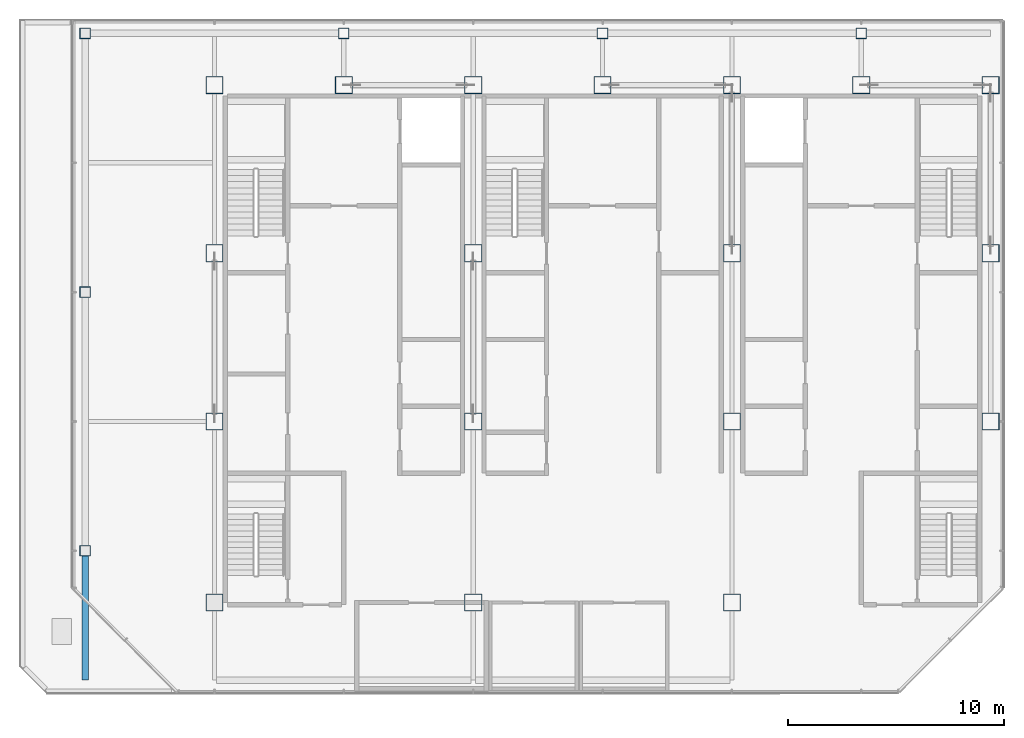
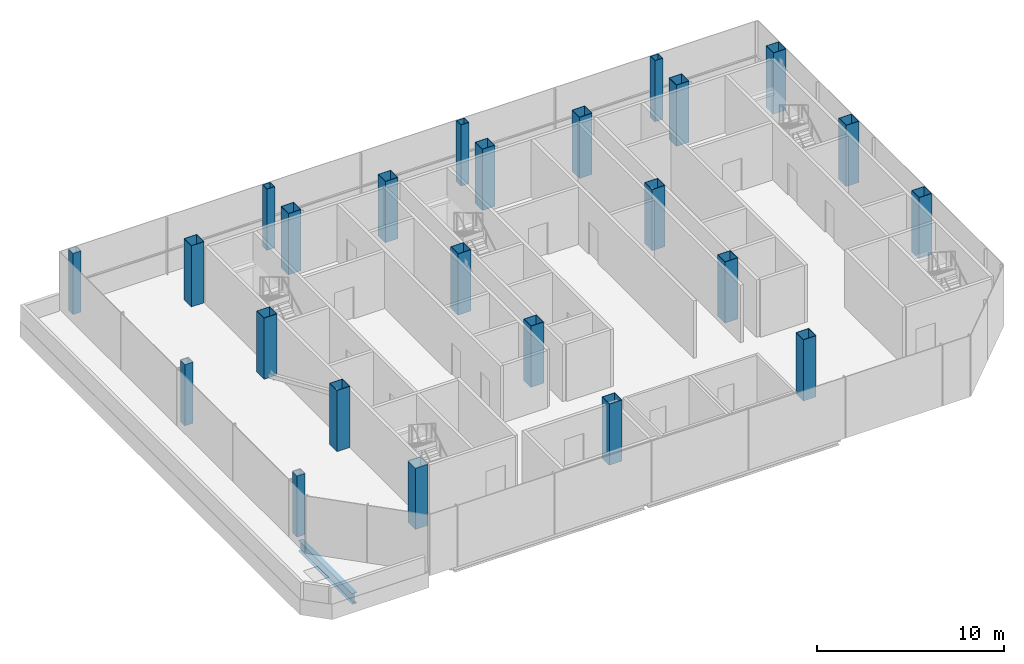
# One storey, part 1 of 11: 24 columns, 1 beam.
"""IFC4 building model written with IfcOpenShell, lengths in metres."""

from ifc_helpers import new_model, si_unit, direction, frame, origin, origin_2d, place, context, subcontext, project, spatial, hollow_rectangle, i_section, extrude, material, material_profile, profile_set, type_object, element, save


model = new_model("IFC4")

# Units and contexts
model_context = context("Model", 3, precision=1e-05, world=origin(), true_north=direction((0.0, 1.0)))
body_context = subcontext(model_context, "Body", "Model", "MODEL_VIEW")
ifc_project = project(units=[si_unit("LENGTHUNIT", "METRE"), si_unit("AREAUNIT", "SQUARE_METRE"), si_unit("VOLUMEUNIT", "CUBIC_METRE"), si_unit("PLANEANGLEUNIT", "RADIAN"), si_unit("MASSUNIT", "GRAM", prefix="KILO")], contexts=[model_context])

# Site, building, storey
site_placement = place(None, origin())
site = spatial("IfcSite", under=ifc_project, at=site_placement, CompositionType="ELEMENT")
building_placement = place(site_placement, origin())
building = spatial("IfcBuilding", under=site, at=building_placement, Name="Sorahane Residences", CompositionType="ELEMENT")
storey_placement = place(building_placement, frame((0.0, 0.0, 349.800048828125)))
storey = spatial("IfcBuildingStorey", under=building, at=storey_placement, Name="L83", CompositionType="ELEMENT", Elevation=349.800048828125)

# Columns
ifc_material_1 = material(Name="Steel Q355B", Category="steel")
ifc_material_profile_1 = material_profile(ifc_material_1, hollow_rectangle(XDim=0.5, YDim=0.5, WallThickness=0.02490234375, at=origin_2d()), Name="BOX 500x500x25")
ifc_profile_set_1 = profile_set([ifc_material_profile_1], Name="Steel Q355B")
column_type_1 = type_object("IfcColumnType", Name="Steel box column BOX 500x500x25 Q355B", PredefinedType="COLUMN", material=ifc_profile_set_1)
for number, where, z_axis, x_axis, name in (
    (1, (0.0, 24.0, 0.0), (0.0, 0.0, 1.0), (1.0, 0.0, 0.0), "Column L83 0/24"),
    (2, (0.0, 36.0, 0.0), (0.0, 0.0, 1.0), (1.0, 0.0, 0.0), "Column L83 0/36"),
    (3, (0.0, 48.0, 0.0), (0.0, 0.0, 1.0), (1.0, 0.0, 0.0), "Column L83 0/48"),
    (4, (12.0, 48.0, 0.0), (0.0, 0.0, 1.0), (1.0, 0.0, 0.0), "Column L83 12/48"),
    (5, (24.0, 48.0, 0.0), (0.0, 0.0, 1.0), (1.0, 0.0, 0.0), "Column L83 24/48"),
    (6, (36.0, 48.0, 0.0), (0.0, 0.0, 1.0), (1.0, 0.0, 0.0), "Column L83 36/48"),
):
    element("IfcColumn", number, at=place(storey_placement, frame(where, z_axis=z_axis, x_axis=x_axis)), inside=storey, type_object=column_type_1, Name=name, PredefinedType="COLUMN", context=body_context, shape_type="SweptSolid", body=[
        extrude(hollow_rectangle(XDim=0.5, YDim=0.5, WallThickness=0.02490234375, at=origin_2d()), origin(), (0.0, 0.0, 1.0), 4.0),
    ])
ifc_material_2 = material(Name="Steel Q355B", Category="steel")
ifc_material_profile_2 = material_profile(ifc_material_2, hollow_rectangle(XDim=0.800048828125, YDim=0.800048828125, WallThickness=0.02490234375, at=origin_2d()), Name="BOX 800x800x25")
ifc_profile_set_2 = profile_set([ifc_material_profile_2], Name="Steel Q355B")
column_type_2 = type_object("IfcColumnType", Name="Steel box column BOX 800x800x25 Q355B", PredefinedType="COLUMN", material=ifc_profile_set_2)
for number, where, z_axis, x_axis, name in (
    (7, (6.0, 21.60009765625, 0.0), (0.0, 0.0, 1.0), (1.0, 0.0, 0.0), "Column L83 6/21.6"),
    (8, (6.0, 30.0, 0.0), (0.0, 0.0, 1.0), (1.0, 0.0, 0.0), "Column L83 6/30"),
    (9, (6.0, 37.800048828125, 0.0), (0.0, 0.0, 1.0), (1.0, 0.0, 0.0), "Column L83 6/37.8"),
    (10, (6.0, 45.60009765625, 0.0), (0.0, 0.0, 1.0), (1.0, 0.0, 0.0), "Column L83 6/45.6"),
    (11, (12.0, 45.60009765625, 0.0), (0.0, 0.0, 1.0), (1.0, 0.0, 0.0), "Column L83 12/45.6"),
    (12, (18.0, 21.60009765625, 0.0), (0.0, 0.0, 1.0), (1.0, 0.0, 0.0), "Column L83 18/21.6"),
    (13, (18.0, 30.0, 0.0), (0.0, 0.0, 1.0), (1.0, 0.0, 0.0), "Column L83 18/30"),
    (14, (18.0, 37.800048828125, 0.0), (0.0, 0.0, 1.0), (1.0, 0.0, 0.0), "Column L83 18/37.8"),
    (15, (18.0, 45.60009765625, 0.0), (0.0, 0.0, 1.0), (1.0, 0.0, 0.0), "Column L83 18/45.6"),
    (16, (24.0, 45.60009765625, 0.0), (0.0, 0.0, 1.0), (1.0, 0.0, 0.0), "Column L83 24/45.6"),
    (17, (30.0, 21.60009765625, 0.0), (0.0, 0.0, 1.0), (1.0, 0.0, 0.0), "Column L83 30/21.6"),
    (18, (30.0, 30.0, 0.0), (0.0, 0.0, 1.0), (1.0, 0.0, 0.0), "Column L83 30/30"),
    (19, (30.0, 37.800048828125, 0.0), (0.0, 0.0, 1.0), (1.0, 0.0, 0.0), "Column L83 30/37.8"),
    (20, (30.0, 45.60009765625, 0.0), (0.0, 0.0, 1.0), (1.0, 0.0, 0.0), "Column L83 30/45.6"),
    (21, (36.0, 45.60009765625, 0.0), (0.0, 0.0, 1.0), (1.0, 0.0, 0.0), "Column L83 36/45.6"),
    (22, (42.0, 30.0, 0.0), (0.0, 0.0, 1.0), (1.0, 0.0, 0.0), "Column L83 42/30"),
    (23, (42.0, 37.800048828125, 0.0), (0.0, 0.0, 1.0), (1.0, 0.0, 0.0), "Column L83 42/37.8"),
    (24, (42.0, 45.60009765625, 0.0), (0.0, 0.0, 1.0), (1.0, 0.0, 0.0), "Column L83 42/45.6"),
):
    element("IfcColumn", number, at=place(storey_placement, frame(where, z_axis=z_axis, x_axis=x_axis)), inside=storey, type_object=column_type_2, Name=name, PredefinedType="COLUMN", context=body_context, shape_type="SweptSolid", body=[
        extrude(hollow_rectangle(XDim=0.800048828125, YDim=0.800048828125, WallThickness=0.02490234375, at=origin_2d()), origin(), (0.0, 0.0, 1.0), 4.0),
    ])

# Beam
ifc_material_3 = material(Name="Steel Q355B", Category="steel")
ifc_material_profile_3 = material_profile(ifc_material_3, i_section(OverallWidth=0.300048828125, OverallDepth=0.699951171875, WebThickness=0.012939453125, FlangeThickness=0.02392578125, FilletRadius=0.028076171875, at=origin_2d()), Name="HN 700x300x13x24")
ifc_profile_set_3 = profile_set([ifc_material_profile_3], Name="Steel Q355B")
beam_type = type_object("IfcBeamType", Name="Steel floor beam HN 700x300x13x24 Q355B", PredefinedType="BEAM", material=ifc_profile_set_3)
beam_placement = place(storey_placement, frame((0.0, 18.0, -0.60009765625), z_axis=(0.0, 1.0, 0.0), x_axis=(-1.0, 0.0, 0.0)))
element("IfcBeam", 25, at=beam_placement, inside=storey, type_object=beam_type, Name="Beam L83 006", PredefinedType="BEAM", context=body_context, shape_type="SweptSolid", body=[
    extrude(i_section(OverallWidth=0.300048828125, OverallDepth=0.699951171875, WebThickness=0.012939453125, FlangeThickness=0.02392578125, FilletRadius=0.028076171875, at=origin_2d()), origin(), (0.0, 0.0, 1.0), 5.77490234375),
])

save(model, "model.ifc")
